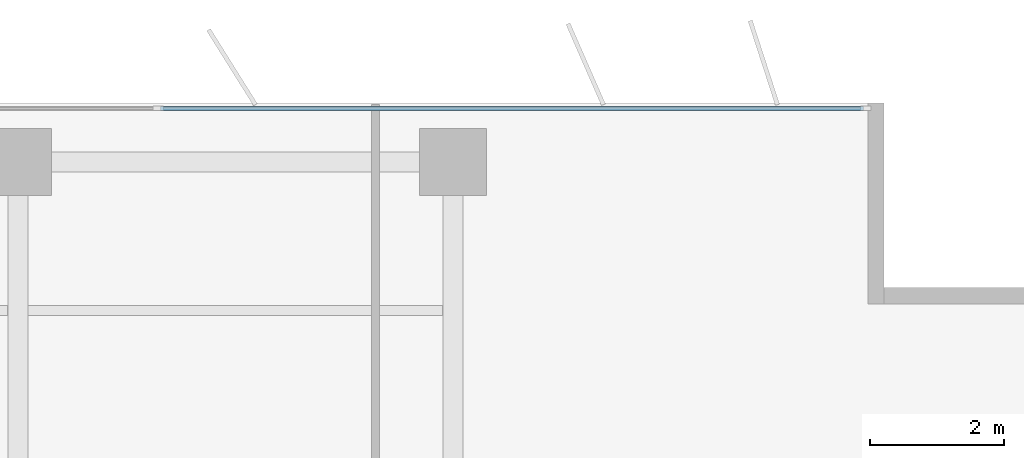
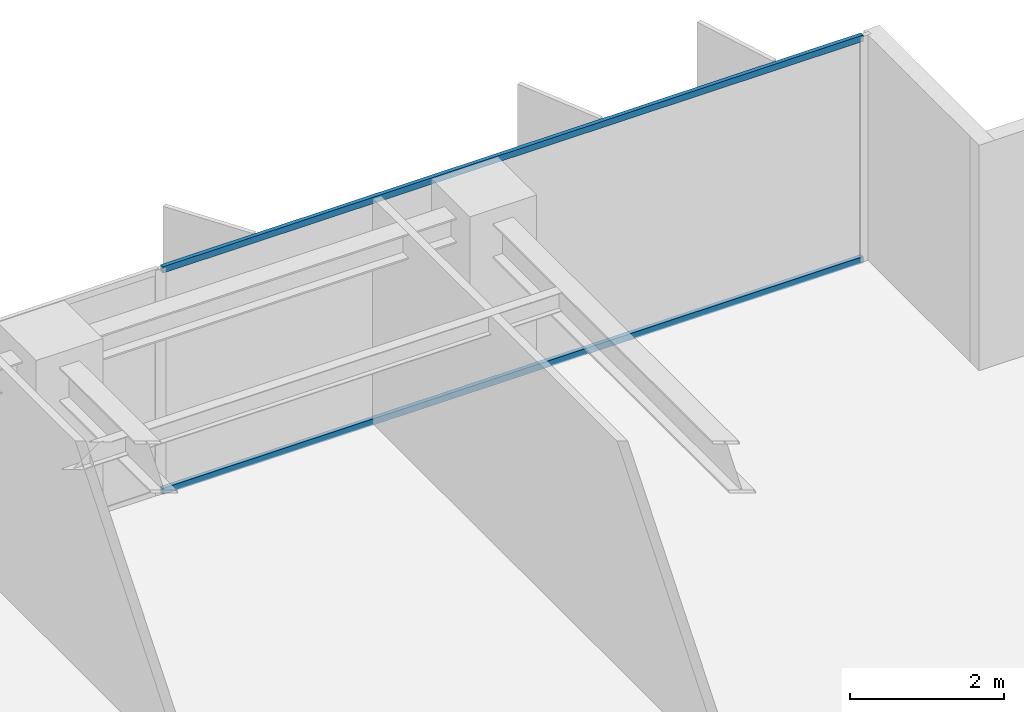
# One storey, part 11 of 22: 2 members, 1 element without a shape of its own.
"""IFC4 building model written with IfcOpenShell, lengths in metres."""

from ifc_helpers import new_model, si_unit, direction, frame, origin, origin_2d, place, context, subcontext, project, spatial, rectangle, extrude, material, layer, layer_set, material_profile, profile_set, type_object, element, aggregate, save


model = new_model("IFC4")

# Units and contexts
model_context = context("Model", 3, precision=1e-05, world=origin(), true_north=direction((0.0, 1.0)))
body_context = subcontext(model_context, "Body", "Model", "MODEL_VIEW")
ifc_project = project(units=[si_unit("LENGTHUNIT", "METRE"), si_unit("AREAUNIT", "SQUARE_METRE"), si_unit("VOLUMEUNIT", "CUBIC_METRE"), si_unit("PLANEANGLEUNIT", "RADIAN"), si_unit("MASSUNIT", "GRAM", prefix="KILO")], contexts=[model_context])

# Site, building, storey
site_placement = place(None, origin())
site = spatial("IfcSite", under=ifc_project, at=site_placement, CompositionType="ELEMENT")
building_placement = place(site_placement, origin())
building = spatial("IfcBuilding", under=site, at=building_placement, Name="Putna Gate Headquarters", CompositionType="ELEMENT")
storey_placement = place(building_placement, frame((0.0, 0.0, 178.39990234375)))
storey = spatial("IfcBuildingStorey", under=building, at=storey_placement, Name="L44", CompositionType="ELEMENT", Elevation=178.39990234375)

# Curtain wall, members
ifc_material_1 = material(Name="Anodised bronze aluminium curtain wall", Category="aluminium")
ifc_layer = layer(ifc_material_1, 0.159912109375)
ifc_layer_set = layer_set([ifc_layer], Name="Anodised bronze aluminium curtain wall")
curtain_wall_type = type_object("IfcCurtainWallType", Name="CW-SYS-Z3", PredefinedType="USERDEFINED", material=ifc_layer_set)
curtain_wall_placement = place(storey_placement, origin())
curtain_wall = element("IfcCurtainWall", 1, at=curtain_wall_placement, inside=storey, type_object=curtain_wall_type, Name="L44 North East Curtain Wall", ObjectType="STICK CURTAIN WALL", PredefinedType="USERDEFINED")
ifc_material_2 = material(Name="Anodised bronze aluminium EN AW-6060", Category="aluminium")
ifc_material_profile = material_profile(ifc_material_2, rectangle(XDim=0.06005859375, YDim=0.10009765625, at=origin_2d()), Name="Anodised bronze aluminium EN AW-6060")
ifc_profile_set = profile_set([ifc_material_profile], Name="Anodised bronze aluminium EN AW-6060")
member_type = type_object("IfcMemberType", Name="TRAN-CWT-3", PredefinedType="USERDEFINED", material=ifc_profile_set)
member_1_placement = place(storey_placement, frame((60.632568359375, 48.52001953125, 0.030029296875), z_axis=(1.0, 0.0, 0.0), x_axis=(0.0, 1.0, 0.0)))
member_1 = element("IfcMember", 2, at=member_1_placement, type_object=member_type, Name="CWS-3 transom 2.1", ObjectType="TRANSOM", PredefinedType="USERDEFINED", context=body_context, shape_type="SweptSolid", body=[
    extrude(rectangle(XDim=0.06005859375, YDim=0.10009765625, at=origin_2d()), origin(), (0.0, 0.0, 1.0), 10.50244140625),
])
member_2_placement = place(storey_placement, frame((60.632568359375, 48.52001953125, 3.5419921875), z_axis=(1.0, 0.0, 0.0), x_axis=(0.0, 1.0, 0.0)))
member_2 = element("IfcMember", 3, at=member_2_placement, type_object=member_type, Name="CWS-3 transom 2.2", ObjectType="TRANSOM", PredefinedType="USERDEFINED", context=body_context, shape_type="SweptSolid", body=[
    extrude(rectangle(XDim=0.06005859375, YDim=0.10009765625, at=origin_2d()), origin(), (0.0, 0.0, 1.0), 10.50244140625),
])
aggregate(curtain_wall, [member_1, member_2])

save(model, "model.ifc")
